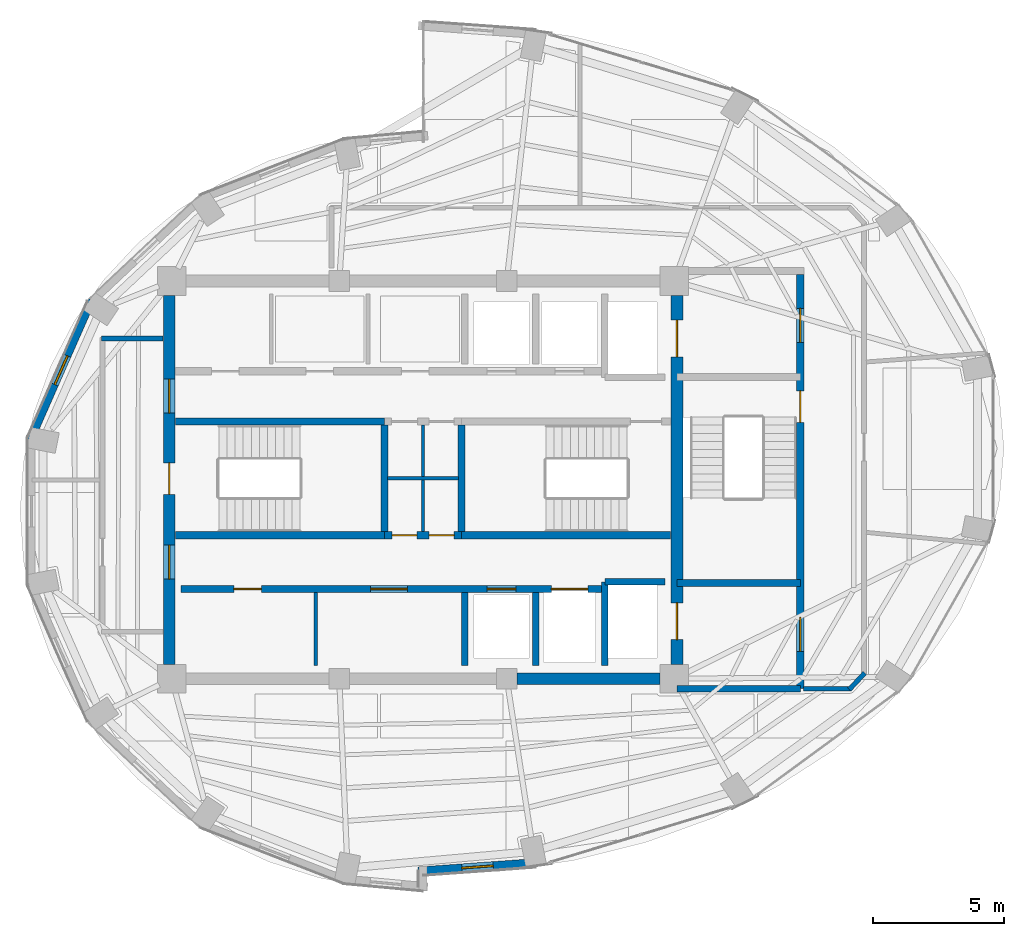
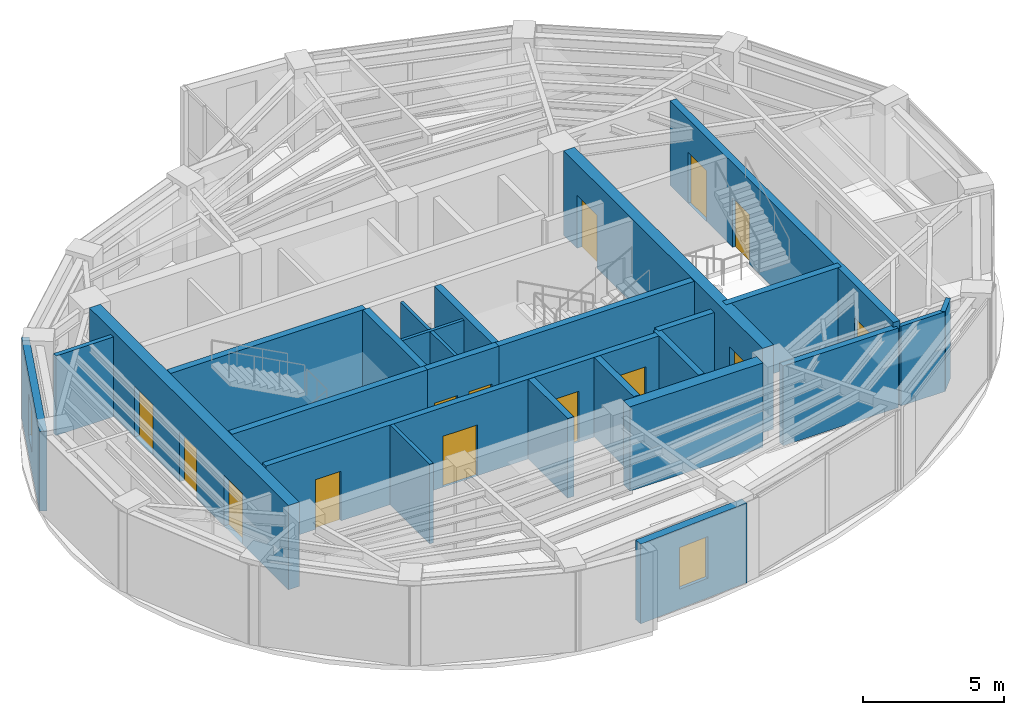
# One storey, part 11 of 15: 25 walls, 14 doors, 2 windows, 16 openings.
"""IFC4 building model written with IfcOpenShell, lengths in metres."""

from ifc_helpers import new_model, si_unit, direction, frame, frame_2d, origin, place, context, subcontext, project, spatial, rectangle, extrude, material, layer, layer_set, type_object, element, fill, save


model = new_model("IFC4")

# Units and contexts
model_context = context("Model", 3, precision=1e-05, world=origin(), true_north=direction((0.0, 1.0)))
body_context = subcontext(model_context, "Body", "Model", "MODEL_VIEW")
ifc_project = project(units=[si_unit("LENGTHUNIT", "METRE"), si_unit("AREAUNIT", "SQUARE_METRE"), si_unit("VOLUMEUNIT", "CUBIC_METRE"), si_unit("PLANEANGLEUNIT", "RADIAN"), si_unit("MASSUNIT", "GRAM", prefix="KILO")], contexts=[model_context])

# Site, building, storey
site_placement = place(None, origin())
site = spatial("IfcSite", under=ifc_project, at=site_placement, CompositionType="ELEMENT")
building_placement = place(site_placement, origin())
building = spatial("IfcBuilding", under=site, at=building_placement, Name="Lazwardi Medical Tower", CompositionType="ELEMENT")
storey_placement = place(building_placement, frame((0.0, 0.0, 280.56005859375)))
storey = spatial("IfcBuildingStorey", under=building, at=storey_placement, Name="L73", CompositionType="ELEMENT", Elevation=280.56005859375)

# Walls
ifc_material_1 = material(Name="Fire-rated gypsum board on steel stud", Category="steel")
ifc_layer_1 = layer(ifc_material_1, 0.179931640625)
ifc_layer_set_1 = layer_set([ifc_layer_1], Name="Fire-rated gypsum board on steel stud")
wall_type_1 = type_object("IfcWallType", Name="WL-COR-180", PredefinedType="PARTITIONING", material=ifc_layer_set_1)
wall_1_placement = place(storey_placement, frame((52.877197265625, 20.619140625, 0.0), z_axis=(0.0, 0.0, 1.0), x_axis=(-0.682409308253, -0.730970270264, 0.0)))
element("IfcWall", 1, at=wall_1_placement, inside=storey, type_object=wall_type_1, Name="L73 Corridor partition 5", PredefinedType="PARTITIONING", context=body_context, shape_type="SweptSolid", body=[
    extrude(rectangle(XDim=0.859619140625, YDim=0.179931640625, at=frame_2d((0.4296875, 0.0))), origin(), (0.0, 0.0, 1.0), 3.447998046875),
])
wall_2_placement = place(storey_placement, frame((52.35791015625, 20.02001953125, 0.0), z_axis=(0.0, 0.0, 1.0), x_axis=(-1.0, 0.0, 0.0)))
element("IfcWall", 2, at=wall_2_placement, inside=storey, type_object=wall_type_1, Name="L73 Corridor partition 6", PredefinedType="PARTITIONING", context=body_context, shape_type="SweptSolid", body=[
    extrude(rectangle(XDim=1.81787109375, YDim=0.179931640625, at=frame_2d((0.908935546875, 0.0))), origin(), (0.0, 0.0, 1.0), 3.447998046875),
])
wall_3_placement = place(storey_placement, frame((23.7099609375, 33.39990234375, 0.0), z_axis=(0.0, 0.0, 1.0), x_axis=(1.0, 0.0, 0.0)))
element("IfcWall", 3, at=wall_3_placement, inside=storey, type_object=wall_type_1, Name="L73 Corridor partition 9", PredefinedType="PARTITIONING", context=body_context, shape_type="SweptSolid", body=[
    extrude(rectangle(XDim=2.35009765625, YDim=0.179931640625, at=frame_2d((1.175048828125, 0.0))), origin(), (0.0, 0.0, 1.0), 3.447998046875),
])

# Wall, openings, doors
ifc_material_2 = material(Name="Concrete C60/75", Category="concrete")
ifc_layer_2 = layer(ifc_material_2, 0.449951171875)
ifc_layer_set_2 = layer_set([ifc_layer_2], Name="Concrete C60/75")
wall_type_2 = type_object("IfcWallType", Name="WL-CORE-450", PredefinedType="SHEAR", material=ifc_layer_set_2)
wall_4_placement = place(storey_placement, frame((26.300048828125, 20.949951171875, 0.0), z_axis=(0.0, 0.0, 1.0), x_axis=(0.0, 1.0, 0.0)))
wall_4 = element("IfcWall", 4, at=wall_4_placement, inside=storey, type_object=wall_type_2, Name="Core wall CW-S4 west L73", PredefinedType="SHEAR", context=body_context, shape_type="SweptSolid", body=[
    extrude(rectangle(XDim=14.10009765625, YDim=0.449951171875, at=frame_2d((7.050048828125, 0.0))), origin(), (0.0, 0.0, 1.0), 3.64794921875),
])
opening_1_placement = place(wall_4_placement, frame((6.5, 0.0, 0.0)))
opening_1 = element("IfcOpeningElement", 5, at=opening_1_placement, cuts=wall_4, Name="Opening D-L73-018", PredefinedType="OPENING", context=body_context, shape_type="SweptSolid", body=[
    extrude(rectangle(XDim=1.199951171875, YDim=2.14990234375, at=frame_2d((0.60009765625, 1.074951171875))), frame((0.0, 0.23486328125, 0.0), z_axis=(0.0, -1.0, 0.0), x_axis=(1.0, 0.0, 0.0)), (0.0, 0.0, 1.0), 0.469970703125),
])
opening_2_placement = place(wall_4_placement, frame((9.60009765625, 0.0, 0.0)))
opening_2 = element("IfcOpeningElement", 6, at=opening_2_placement, cuts=wall_4, Name="Opening D-L73-012", PredefinedType="OPENING", context=body_context, shape_type="SweptSolid", body=[
    extrude(rectangle(XDim=1.300048828125, YDim=2.199951171875, at=frame_2d((0.64990234375, 1.10009765625))), frame((0.0, 0.23486328125, 0.0), z_axis=(0.0, -1.0, 0.0), x_axis=(1.0, 0.0, 0.0)), (0.0, 0.0, 1.0), 0.469970703125),
])
opening_3_placement = place(wall_4_placement, frame((3.260009765625, 0.0, 0.0)))
opening_3 = element("IfcOpeningElement", 7, at=opening_3_placement, cuts=wall_4, Name="Opening D-L73-013", PredefinedType="OPENING", context=body_context, shape_type="SweptSolid", body=[
    extrude(rectangle(XDim=1.300048828125, YDim=2.199951171875, at=frame_2d((0.64990234375, 1.10009765625))), frame((0.0, 0.23486328125, 0.0), z_axis=(0.0, -1.0, 0.0), x_axis=(1.0, 0.0, 0.0)), (0.0, 0.0, 1.0), 0.469970703125),
])
ifc_material_3 = material(Name="Fire-rated steel leaf and frame", Category="steel")
door_type_1 = type_object("IfcDoorType", Name="DR-FFL-1300", OperationType="NOTDEFINED", PredefinedType="DOOR", material=ifc_material_3)
door_1_placement = place(opening_2_placement, origin())
door_1 = element("IfcDoor", 8, at=door_1_placement, inside=storey, type_object=door_type_1, Name="L73 North Lift Lobby Door", OperationType="SINGLE_SWING_LEFT", OverallHeight=2.199951171875, OverallWidth=1.300048828125, PredefinedType="DOOR", context=body_context, shape_type="SweptSolid", body=[
    extrude(rectangle(XDim=1.300048828125, YDim=2.199951171875, at=frame_2d((0.64990234375, 1.10009765625))), frame((0.0, 0.02490234375, 0.0), z_axis=(0.0, -1.0, 0.0), x_axis=(1.0, 0.0, 0.0)), (0.0, 0.0, 1.0), 0.050048828125),
])
fill(opening_2, door_1)
door_2_placement = place(opening_3_placement, origin())
door_2 = element("IfcDoor", 9, at=door_2_placement, inside=storey, type_object=door_type_1, Name="L73 South Lift Lobby Door", OperationType="SINGLE_SWING_RIGHT", OverallHeight=2.199951171875, OverallWidth=1.300048828125, PredefinedType="DOOR", context=body_context, shape_type="SweptSolid", body=[
    extrude(rectangle(XDim=1.300048828125, YDim=2.199951171875, at=frame_2d((0.64990234375, 1.10009765625))), frame((0.0, 0.02490234375, 0.0), z_axis=(0.0, -1.0, 0.0), x_axis=(1.0, 0.0, 0.0)), (0.0, 0.0, 1.0), 0.050048828125),
])
fill(opening_3, door_2)
door_type_2 = type_object("IfcDoorType", Name="DR-STR-1200", OperationType="NOTDEFINED", PredefinedType="DOOR", material=ifc_material_3)
door_3_placement = place(opening_1_placement, origin())
door_3 = element("IfcDoor", 10, at=door_3_placement, inside=storey, type_object=door_type_2, Name="L73 Exit Stair ST1 Door", OperationType="SINGLE_SWING_LEFT", OverallHeight=2.14990234375, OverallWidth=1.199951171875, PredefinedType="DOOR", context=body_context, shape_type="SweptSolid", body=[
    extrude(rectangle(XDim=1.199951171875, YDim=2.14990234375, at=frame_2d((0.60009765625, 1.074951171875))), frame((0.0, 0.02490234375, 0.0), z_axis=(0.0, -1.0, 0.0), x_axis=(1.0, 0.0, 0.0)), (0.0, 0.0, 1.0), 0.050048828125),
])
fill(opening_1, door_3)

wall_5_placement = place(storey_placement, frame((45.699951171875, 20.949951171875, 0.0), z_axis=(0.0, 0.0, 1.0), x_axis=(0.0, 1.0, 0.0)))
wall_5 = element("IfcWall", 11, at=wall_5_placement, inside=storey, type_object=wall_type_2, Name="Core wall CW-S4 east L73", PredefinedType="SHEAR", context=body_context, shape_type="SweptSolid", body=[
    extrude(rectangle(XDim=14.10009765625, YDim=0.449951171875, at=frame_2d((7.050048828125, 0.0))), origin(), (0.0, 0.0, 1.0), 3.64794921875),
])
opening_4_placement = place(wall_5_placement, frame((11.75, 0.0, 0.0)))
opening_4 = element("IfcOpeningElement", 12, at=opening_4_placement, cuts=wall_5, Name="Opening LD-L73-001", PredefinedType="OPENING", context=body_context, shape_type="SweptSolid", body=[
    extrude(rectangle(XDim=1.39990234375, YDim=2.300048828125, at=frame_2d((0.699951171875, 1.14990234375))), frame((0.0, 0.23486328125, 0.0), z_axis=(0.0, -1.0, 0.0), x_axis=(1.0, 0.0, 0.0)), (0.0, 0.0, 1.0), 0.469970703125),
])
opening_5_placement = place(wall_5_placement, frame((0.949951171875, 0.0, 0.0)))
opening_5 = element("IfcOpeningElement", 13, at=opening_5_placement, cuts=wall_5, Name="Opening LD-L73-002", PredefinedType="OPENING", context=body_context, shape_type="SweptSolid", body=[
    extrude(rectangle(XDim=1.39990234375, YDim=2.300048828125, at=frame_2d((0.699951171875, 1.14990234375))), frame((0.0, 0.23486328125, 0.0), z_axis=(0.0, -1.0, 0.0), x_axis=(1.0, 0.0, 0.0)), (0.0, 0.0, 1.0), 0.469970703125),
])
ifc_material_4 = material(Name="Brushed stainless steel bed-lift landing door", Category="steel")
door_type_3 = type_object("IfcDoorType", Name="DR-LFT-1400", OperationType="NOTDEFINED", PredefinedType="DOOR", material=ifc_material_4)
door_4_placement = place(opening_4_placement, origin())
door_4 = element("IfcDoor", 14, at=door_4_placement, inside=storey, type_object=door_type_3, Name="L73 Lift Landing Door FL-01", OperationType="SLIDING_TO_LEFT", OverallHeight=2.300048828125, OverallWidth=1.39990234375, PredefinedType="DOOR", context=body_context, shape_type="SweptSolid", body=[
    extrude(rectangle(XDim=1.39990234375, YDim=2.300048828125, at=frame_2d((0.699951171875, 1.14990234375))), frame((0.0, 0.02490234375, 0.0), z_axis=(0.0, -1.0, 0.0), x_axis=(1.0, 0.0, 0.0)), (0.0, 0.0, 1.0), 0.050048828125),
])
fill(opening_4, door_4)
door_5_placement = place(opening_5_placement, origin())
door_5 = element("IfcDoor", 15, at=door_5_placement, inside=storey, type_object=door_type_3, Name="L73 Lift Landing Door FL-02", OperationType="SLIDING_TO_LEFT", OverallHeight=2.300048828125, OverallWidth=1.39990234375, PredefinedType="DOOR", context=body_context, shape_type="SweptSolid", body=[
    extrude(rectangle(XDim=1.39990234375, YDim=2.300048828125, at=frame_2d((0.699951171875, 1.14990234375))), frame((0.0, 0.02490234375, 0.0), z_axis=(0.0, -1.0, 0.0), x_axis=(1.0, 0.0, 0.0)), (0.0, 0.0, 1.0), 0.050048828125),
])
fill(opening_5, door_5)

# Wall
wall_6_placement = place(storey_placement, frame((39.60009765625, 20.39990234375, 0.0), z_axis=(0.0, 0.0, 1.0), x_axis=(1.0, 0.0, 0.0)))
element("IfcWall", 16, at=wall_6_placement, inside=storey, type_object=wall_type_2, Name="Core wall CW-S4 S3 L73", PredefinedType="SHEAR", context=body_context, shape_type="SweptSolid", body=[
    extrude(rectangle(XDim=5.449951171875, YDim=0.449951171875, at=frame_2d((2.72509765625, 0.0))), origin(), (0.0, 0.0, 1.0), 3.64794921875),
])

# Wall, opening, window
ifc_material_5 = material(Name="Precast concrete C45/55", Category="concrete")
ifc_layer_3 = layer(ifc_material_5, 0.280029296875)
ifc_layer_set_3 = layer_set([ifc_layer_3], Name="Precast concrete C45/55")
wall_type_3 = type_object("IfcWallType", Name="WL-DRUM-280", PredefinedType="SOLIDWALL", material=ifc_layer_set_3)
wall_7_placement = place(storey_placement, frame((23.35205078125, 34.869384765625, 0.0), z_axis=(0.0, 0.0, 1.0), x_axis=(-0.402882523888, -0.915251698685, 0.0)))
wall_7 = element("IfcWall", 17, at=wall_7_placement, inside=storey, type_object=wall_type_3, Name="L73 West Drum Precast Wall 3", PredefinedType="SOLIDWALL", context=body_context, shape_type="SweptSolid", body=[
    extrude(rectangle(XDim=5.855712890625, YDim=0.280029296875, at=frame_2d((2.927734375, 0.0))), origin(), (0.0, 0.0, 1.0), 3.447998046875),
])
opening_6_placement = place(wall_7_placement, frame((2.327880859375, 0.0, 0.85009765625)))
opening_6 = element("IfcOpeningElement", 18, at=opening_6_placement, cuts=wall_7, Name="Opening WN-04", PredefinedType="OPENING", context=body_context, shape_type="SweptSolid", body=[
    extrude(rectangle(XDim=1.199951171875, YDim=1.800048828125, at=frame_2d((0.60009765625, 0.89990234375))), frame((0.0, 0.14990234375, 0.0), z_axis=(0.0, -1.0, 0.0), x_axis=(1.0, 0.0, 0.0)), (0.0, 0.0, 1.0), 0.300048828125),
])
ifc_material_6 = material(Name="Low-e bronze solar control double glazing", Category="glass")
window_type = type_object("IfcWindowType", Name="WIN-DRUM-1200", PartitioningType="SINGLE_PANEL", PredefinedType="WINDOW", material=ifc_material_6)
window_1_placement = place(opening_6_placement, origin())
window_1 = element("IfcWindow", 19, at=window_1_placement, inside=storey, type_object=window_type, Name="L73 West Drum Window 3", OverallHeight=1.800048828125, OverallWidth=1.199951171875, PartitioningType="SINGLE_PANEL", PredefinedType="WINDOW", context=body_context, shape_type="SweptSolid", body=[
    extrude(rectangle(XDim=1.199951171875, YDim=1.800048828125, at=frame_2d((0.60009765625, 0.89990234375))), frame((0.0, 0.030029296875, 0.0), z_axis=(0.0, -1.0, 0.0), x_axis=(1.0, 0.0, 0.0)), (0.0, 0.0, 1.0), 0.06005859375),
])
fill(opening_6, window_1)

# Walls
ifc_material_7 = material(Name="Moisture-resistant gypsum board partition")
ifc_layer_4 = layer(ifc_material_7, 0.125)
ifc_layer_set_4 = layer_set([ifc_layer_4], Name="Moisture-resistant gypsum board partition")
wall_type_4 = type_object("IfcWallType", Name="WL-ENS-125", PredefinedType="PARTITIONING", material=ifc_layer_set_4)
wall_8_placement = place(storey_placement, frame((34.64990234375, 28.06005859375, 0.0), z_axis=(0.0, 0.0, 1.0), x_axis=(1.0, 0.0, 0.0)))
element("IfcWall", 20, at=wall_8_placement, inside=storey, type_object=wall_type_4, Name="L73 Core 4-way H divider", PredefinedType="PARTITIONING", context=body_context, shape_type="SweptSolid", body=[
    extrude(rectangle(XDim=2.7001953125, YDim=0.125, at=frame_2d((1.35009765625, 0.0))), origin(), (0.0, 0.0, 1.0), 3.447998046875),
])
wall_9_placement = place(storey_placement, frame((36.0, 26.02001953125, 0.0), z_axis=(0.0, 0.0, 1.0), x_axis=(0.0, 1.0, 0.0)))
element("IfcWall", 21, at=wall_9_placement, inside=storey, type_object=wall_type_4, Name="L73 Core 4-way V divider", PredefinedType="PARTITIONING", context=body_context, shape_type="SweptSolid", body=[
    extrude(rectangle(XDim=4.080078125, YDim=0.125, at=frame_2d((2.0400390625, 0.0))), origin(), (0.0, 0.0, 1.0), 3.447998046875),
])

# Wall, opening, window
ifc_layer_5 = layer(ifc_material_5, 0.320068359375)
ifc_layer_set_5 = layer_set([ifc_layer_5], Name="Precast concrete C45/55")
wall_type_5 = type_object("IfcWallType", Name="WL-IWAN-320", PredefinedType="SOLIDWALL", material=ifc_layer_set_5)
wall_10_placement = place(storey_placement, frame((35.820556640625, 13.047119140625, 0.0), z_axis=(0.0, 0.0, 1.0), x_axis=(0.997409061056, 0.071938619141, 0.0)))
wall_10 = element("IfcWall", 22, at=wall_10_placement, inside=storey, type_object=wall_type_5, Name="L73 Iwan Portal Return Wall SE_ret", PredefinedType="SOLIDWALL", context=body_context, shape_type="SweptSolid", body=[
    extrude(rectangle(XDim=4.540771484375, YDim=0.320068359375, at=frame_2d((2.2705078125, 0.0))), origin(), (0.0, 0.0, 1.0), 3.447998046875),
])
opening_7_placement = place(wall_10_placement, frame((1.67041015625, 0.0, 0.85009765625)))
opening_7 = element("IfcOpeningElement", 23, at=opening_7_placement, cuts=wall_10, Name="Opening WN-04", PredefinedType="OPENING", context=body_context, shape_type="SweptSolid", body=[
    extrude(rectangle(XDim=1.199951171875, YDim=1.800048828125, at=frame_2d((0.60009765625, 0.89990234375))), frame((0.0, 0.169921875, 0.0), z_axis=(0.0, -1.0, 0.0), x_axis=(1.0, 0.0, 0.0)), (0.0, 0.0, 1.0), 0.340087890625),
])
window_2_placement = place(opening_7_placement, origin())
window_2 = element("IfcWindow", 24, at=window_2_placement, inside=storey, type_object=window_type, Name="L73 Iwan Slot Window SE_ret", OverallHeight=1.800048828125, OverallWidth=1.199951171875, PartitioningType="SINGLE_PANEL", PredefinedType="WINDOW", context=body_context, shape_type="SweptSolid", body=[
    extrude(rectangle(XDim=1.199951171875, YDim=1.800048828125, at=frame_2d((0.60009765625, 0.89990234375))), frame((0.0, 0.030029296875, 0.0), z_axis=(0.0, -1.0, 0.0), x_axis=(1.0, 0.0, 0.0)), (0.0, 0.0, 1.0), 0.06005859375),
])
fill(opening_7, window_2)

# Wall, openings, doors
ifc_material_8 = material(Name="Autoclaved aerated concrete blockwork", Category="masonry")
ifc_layer_6 = layer(ifc_material_8, 0.25)
ifc_layer_set_6 = layer_set([ifc_layer_6], Name="Autoclaved aerated concrete blockwork")
wall_type_6 = type_object("IfcWallType", Name="WL-SHAFT-250", PredefinedType="SOLIDWALL", material=ifc_layer_set_6)
wall_11_placement = place(storey_placement, frame((26.75, 23.830078125, 0.0), z_axis=(0.0, 0.0, 1.0), x_axis=(1.0, 0.0, 0.0)))
wall_11 = element("IfcWall", 25, at=wall_11_placement, inside=storey, type_object=wall_type_6, Name="L73 South lift bank front wall", PredefinedType="SOLIDWALL", context=body_context, shape_type="SweptSolid", body=[
    extrude(rectangle(XDim=16.199951171875, YDim=0.25, at=frame_2d((8.10009765625, 0.0))), origin(), (0.0, 0.0, 1.0), 3.447998046875),
])
opening_8_placement = place(wall_11_placement, frame((2.02490234375, 0.0, 0.0)))
opening_8 = element("IfcOpeningElement", 26, at=opening_8_placement, cuts=wall_11, Name="Opening D-L73-008", PredefinedType="OPENING", context=body_context, shape_type="SweptSolid", body=[
    extrude(rectangle(XDim=1.050048828125, YDim=2.14990234375, at=frame_2d((0.52490234375, 1.074951171875))), frame((0.0, 0.135009765625, 0.0), z_axis=(0.0, -1.0, 0.0), x_axis=(1.0, 0.0, 0.0)), (0.0, 0.0, 1.0), 0.27001953125),
])
opening_9_placement = place(wall_11_placement, frame((7.25, 0.0, 0.0)))
opening_9 = element("IfcOpeningElement", 27, at=opening_9_placement, cuts=wall_11, Name="Opening D-L73-009", PredefinedType="OPENING", context=body_context, shape_type="SweptSolid", body=[
    extrude(rectangle(XDim=1.39990234375, YDim=2.199951171875, at=frame_2d((0.699951171875, 1.10009765625))), frame((0.0, 0.135009765625, 0.0), z_axis=(0.0, -1.0, 0.0), x_axis=(1.0, 0.0, 0.0)), (0.0, 0.0, 1.0), 0.27001953125),
])
opening_10_placement = place(wall_11_placement, frame((11.699951171875, 0.0, 0.0)))
opening_10 = element("IfcOpeningElement", 28, at=opening_10_placement, cuts=wall_11, Name="Opening LD-L73-006", PredefinedType="OPENING", context=body_context, shape_type="SweptSolid", body=[
    extrude(rectangle(XDim=1.10009765625, YDim=2.199951171875, at=frame_2d((0.550048828125, 1.10009765625))), frame((0.0, 0.135009765625, 0.0), z_axis=(0.0, -1.0, 0.0), x_axis=(1.0, 0.0, 0.0)), (0.0, 0.0, 1.0), 0.27001953125),
])
opening_11_placement = place(wall_11_placement, frame((14.14990234375, 0.0, 0.0)))
opening_11 = element("IfcOpeningElement", 29, at=opening_11_placement, cuts=wall_11, Name="Opening LD-L73-003", PredefinedType="OPENING", context=body_context, shape_type="SweptSolid", body=[
    extrude(rectangle(XDim=1.39990234375, YDim=2.300048828125, at=frame_2d((0.699951171875, 1.14990234375))), frame((0.0, 0.135009765625, 0.0), z_axis=(0.0, -1.0, 0.0), x_axis=(1.0, 0.0, 0.0)), (0.0, 0.0, 1.0), 0.27001953125),
])
ifc_material_9 = material(Name="Anti-microbial laminate hospital leaf")
door_type_4 = type_object("IfcDoorType", Name="DR-BED-1400", OperationType="NOTDEFINED", PredefinedType="DOOR", material=ifc_material_9)
door_6_placement = place(opening_9_placement, origin())
door_6 = element("IfcDoor", 30, at=door_6_placement, inside=storey, type_object=door_type_4, Name="L73 Dialysis Door", OperationType="SINGLE_SWING_LEFT", OverallHeight=2.199951171875, OverallWidth=1.39990234375, PredefinedType="DOOR", context=body_context, shape_type="SweptSolid", body=[
    extrude(rectangle(XDim=1.39990234375, YDim=2.199951171875, at=frame_2d((0.699951171875, 1.10009765625))), frame((0.0, 0.02490234375, 0.0), z_axis=(0.0, -1.0, 0.0), x_axis=(1.0, 0.0, 0.0)), (0.0, 0.0, 1.0), 0.050048828125),
])
fill(opening_9, door_6)
door_type_5 = type_object("IfcDoorType", Name="DR-CLN-1050", OperationType="NOTDEFINED", PredefinedType="DOOR", material=ifc_material_9)
door_7_placement = place(opening_8_placement, origin())
door_7 = element("IfcDoor", 31, at=door_7_placement, inside=storey, type_object=door_type_5, Name="L73 Clinical Laboratory Door", OperationType="SINGLE_SWING_RIGHT", OverallHeight=2.14990234375, OverallWidth=1.050048828125, PredefinedType="DOOR", context=body_context, shape_type="SweptSolid", body=[
    extrude(rectangle(XDim=1.050048828125, YDim=2.14990234375, at=frame_2d((0.52490234375, 1.074951171875))), frame((0.0, 0.02490234375, 0.0), z_axis=(0.0, -1.0, 0.0), x_axis=(1.0, 0.0, 0.0)), (0.0, 0.0, 1.0), 0.050048828125),
])
fill(opening_8, door_7)
ifc_material_10 = material(Name="Brushed bronze stainless steel landing door", Category="steel")
door_type_6 = type_object("IfcDoorType", Name="DR-LFT-1100", OperationType="NOTDEFINED", PredefinedType="DOOR", material=ifc_material_10)
door_8_placement = place(opening_10_placement, origin())
door_8 = element("IfcDoor", 32, at=door_8_placement, inside=storey, type_object=door_type_6, Name="L73 Lift Landing Door PL-11", OperationType="SLIDING_TO_LEFT", OverallHeight=2.199951171875, OverallWidth=1.10009765625, PredefinedType="DOOR", context=body_context, shape_type="SweptSolid", body=[
    extrude(rectangle(XDim=1.10009765625, YDim=2.199951171875, at=frame_2d((0.550048828125, 1.10009765625))), frame((0.0, 0.02490234375, 0.0), z_axis=(0.0, -1.0, 0.0), x_axis=(1.0, 0.0, 0.0)), (0.0, 0.0, 1.0), 0.050048828125),
])
fill(opening_10, door_8)
door_9_placement = place(opening_11_placement, origin())
door_9 = element("IfcDoor", 33, at=door_9_placement, inside=storey, type_object=door_type_3, Name="L73 Lift Landing Door FL-03", OperationType="SLIDING_TO_LEFT", OverallHeight=2.300048828125, OverallWidth=1.39990234375, PredefinedType="DOOR", context=body_context, shape_type="SweptSolid", body=[
    extrude(rectangle(XDim=1.39990234375, YDim=2.300048828125, at=frame_2d((0.699951171875, 1.14990234375))), frame((0.0, 0.02490234375, 0.0), z_axis=(0.0, -1.0, 0.0), x_axis=(1.0, 0.0, 0.0)), (0.0, 0.0, 1.0), 0.050048828125),
])
fill(opening_11, door_9)

# Walls
wall_12_placement = place(storey_placement, frame((42.949951171875, 20.89990234375, 0.0), z_axis=(0.0, 0.0, 1.0), x_axis=(0.0, 1.0, 0.0)))
element("IfcWall", 34, at=wall_12_placement, inside=storey, type_object=wall_type_6, Name="L73 FL-02 West shaft wall", PredefinedType="SOLIDWALL", context=body_context, shape_type="SweptSolid", body=[
    extrude(rectangle(XDim=3.2001953125, YDim=0.25, at=frame_2d((1.60009765625, 0.0))), origin(), (0.0, 0.0, 1.0), 3.447998046875),
])
wall_13_placement = place(storey_placement, frame((42.949951171875, 24.10009765625, 0.0), z_axis=(0.0, 0.0, 1.0), x_axis=(1.0, 0.0, 0.0)))
element("IfcWall", 35, at=wall_13_placement, inside=storey, type_object=wall_type_6, Name="L73 FL-02 North shaft wall", PredefinedType="SOLIDWALL", context=body_context, shape_type="SweptSolid", body=[
    extrude(rectangle(XDim=2.300048828125, YDim=0.25, at=frame_2d((1.14990234375, 0.0))), origin(), (0.0, 0.0, 1.0), 3.447998046875),
])
for number, where, z_axis, x_axis, name in (
    (36, (37.60009765625, 20.89990234375, 0.0), (0.0, 0.0, 1.0), (0.0, 1.0, 0.0), "L73 South hoistway divider"),
    (37, (40.300048828125, 20.89990234375, 0.0), (0.0, 0.0, 1.0), (0.0, 1.0, 0.0), "L73 South hoistway divider"),
):
    element("IfcWall", number, at=place(storey_placement, frame(where, z_axis=z_axis, x_axis=x_axis)), inside=storey, type_object=wall_type_6, Name=name, PredefinedType="SOLIDWALL", context=body_context, shape_type="SweptSolid", body=[
        extrude(rectangle(XDim=2.800048828125, YDim=0.25, at=frame_2d((1.39990234375, 0.0))), origin(), (0.0, 0.0, 1.0), 3.447998046875),
    ])
wall_14_placement = place(storey_placement, frame((45.699951171875, 20.02001953125, 0.0), z_axis=(0.0, 0.0, 1.0), x_axis=(1.0, 0.0, 0.0)))
element("IfcWall", 38, at=wall_14_placement, inside=storey, type_object=wall_type_6, Name="L73 FFL-S South wall", PredefinedType="SOLIDWALL", context=body_context, shape_type="SweptSolid", body=[
    extrude(rectangle(XDim=4.715087890625, YDim=0.25, at=frame_2d((2.357421875, 0.0))), origin(), (0.0, 0.0, 1.0), 3.447998046875),
])
ifc_material_11 = material(Name="Concrete C50/60", Category="concrete")
ifc_layer_7 = layer(ifc_material_11, 0.27001953125)
ifc_layer_set_7 = layer_set([ifc_layer_7], Name="Concrete C50/60")
wall_type_7 = type_object("IfcWallType", Name="WL-STR-250", PredefinedType="SHEAR", material=ifc_layer_set_7)
for number, where, z_axis, x_axis, name in (
    (39, (26.550048828125, 30.235107421875, 0.0), (0.0, 0.0, 1.0), (1.0, 0.0, 0.0), "L73 ST1 North shear shaft wall SW-S1"),
    (40, (26.550048828125, 25.885009765625, 0.0), (0.0, 0.0, 1.0), (1.0, 0.0, 0.0), "L73 ST1 South shear shaft wall SW-S1"),
):
    element("IfcWall", number, at=place(storey_placement, frame(where, z_axis=z_axis, x_axis=x_axis)), inside=storey, type_object=wall_type_7, Name=name, PredefinedType="SHEAR", context=body_context, shape_type="SweptSolid", body=[
        extrude(rectangle(XDim=7.98486328125, YDim=0.27001953125, at=frame_2d((3.992431640625, 0.0))), origin(), (0.0, 0.0, 1.0), 3.64794921875),
    ])

# Wall, openings, doors
wall_15_placement = place(storey_placement, frame((34.534912109375, 25.885009765625, 0.0), z_axis=(0.0, 0.0, 1.0), x_axis=(1.0, 0.0, 0.0)))
wall_15 = element("IfcWall", 41, at=wall_15_placement, inside=storey, type_object=wall_type_7, Name="L73 Core service South shear wall SW-S1", PredefinedType="SHEAR", context=body_context, shape_type="SweptSolid", body=[
    extrude(rectangle(XDim=2.93017578125, YDim=0.27001953125, at=frame_2d((1.465087890625, 0.0))), origin(), (0.0, 0.0, 1.0), 3.64794921875),
])
opening_12_placement = place(wall_15_placement, frame((0.280029296875, 0.0, 0.0)))
opening_12 = element("IfcOpeningElement", 42, at=opening_12_placement, cuts=wall_15, Name="Opening D-L73-001", PredefinedType="OPENING", context=body_context, shape_type="SweptSolid", body=[
    extrude(rectangle(XDim=0.949951171875, YDim=2.10009765625, at=frame_2d((0.47509765625, 1.050048828125))), frame((0.0, 0.14501953125, 0.0), z_axis=(0.0, -1.0, 0.0), x_axis=(1.0, 0.0, 0.0)), (0.0, 0.0, 1.0), 0.2900390625),
])
opening_13_placement = place(wall_15_placement, frame((1.699951171875, 0.0, 0.0)))
opening_13 = element("IfcOpeningElement", 43, at=opening_13_placement, cuts=wall_15, Name="Opening D-L73-002", PredefinedType="OPENING", context=body_context, shape_type="SweptSolid", body=[
    extrude(rectangle(XDim=0.949951171875, YDim=2.10009765625, at=frame_2d((0.47509765625, 1.050048828125))), frame((0.0, 0.14501953125, 0.0), z_axis=(0.0, -1.0, 0.0), x_axis=(1.0, 0.0, 0.0)), (0.0, 0.0, 1.0), 0.2900390625),
])
ifc_material_12 = material(Name="Moisture-resistant laminate door leaf")
door_type_7 = type_object("IfcDoorType", Name="DR-ENS-950", OperationType="NOTDEFINED", PredefinedType="DOOR", material=ifc_material_12)
door_10_placement = place(opening_12_placement, origin())
door_10 = element("IfcDoor", 44, at=door_10_placement, inside=storey, type_object=door_type_7, Name="L73 Staff WC Door", OperationType="SINGLE_SWING_LEFT", OverallHeight=2.10009765625, OverallWidth=0.949951171875, PredefinedType="DOOR", context=body_context, shape_type="SweptSolid", body=[
    extrude(rectangle(XDim=0.949951171875, YDim=2.10009765625, at=frame_2d((0.47509765625, 1.050048828125))), frame((0.0, 0.02490234375, 0.0), z_axis=(0.0, -1.0, 0.0), x_axis=(1.0, 0.0, 0.0)), (0.0, 0.0, 1.0), 0.050048828125),
])
fill(opening_12, door_10)
door_11_placement = place(opening_13_placement, origin())
door_11 = element("IfcDoor", 45, at=door_11_placement, inside=storey, type_object=door_type_7, Name="L73 Comms Room Door", OperationType="SINGLE_SWING_RIGHT", OverallHeight=2.10009765625, OverallWidth=0.949951171875, PredefinedType="DOOR", context=body_context, shape_type="SweptSolid", body=[
    extrude(rectangle(XDim=0.949951171875, YDim=2.10009765625, at=frame_2d((0.47509765625, 1.050048828125))), frame((0.0, 0.02490234375, 0.0), z_axis=(0.0, -1.0, 0.0), x_axis=(1.0, 0.0, 0.0)), (0.0, 0.0, 1.0), 0.050048828125),
])
fill(opening_13, door_11)

# Walls
wall_16_placement = place(storey_placement, frame((37.465087890625, 25.885009765625, 0.0), z_axis=(0.0, 0.0, 1.0), x_axis=(1.0, 0.0, 0.0)))
element("IfcWall", 46, at=wall_16_placement, inside=storey, type_object=wall_type_7, Name="L73 ST2 South shear shaft wall SW-S1", PredefinedType="SHEAR", context=body_context, shape_type="SweptSolid", body=[
    extrude(rectangle(XDim=7.98486328125, YDim=0.27001953125, at=frame_2d((3.992431640625, 0.0))), origin(), (0.0, 0.0, 1.0), 3.64794921875),
])
for number, where, z_axis, x_axis, name in (
    (47, (34.534912109375, 26.02001953125, 0.0), (0.0, 0.0, 1.0), (0.0, 1.0, 0.0), "L73 ST1 East shear shaft wall SW-S1"),
    (48, (37.465087890625, 26.02001953125, 0.0), (0.0, 0.0, 1.0), (0.0, 1.0, 0.0), "L73 ST2 West shear shaft wall SW-S1"),
):
    element("IfcWall", number, at=place(storey_placement, frame(where, z_axis=z_axis, x_axis=x_axis)), inside=storey, type_object=wall_type_7, Name=name, PredefinedType="SHEAR", context=body_context, shape_type="SweptSolid", body=[
        extrude(rectangle(XDim=4.080078125, YDim=0.27001953125, at=frame_2d((2.0400390625, 0.0))), origin(), (0.0, 0.0, 1.0), 3.64794921875),
    ])

# Wall, openings, doors
wall_17_placement = place(storey_placement, frame((50.4150390625, 35.844970703125, 0.0), z_axis=(0.0, 0.0, 1.0), x_axis=(0.0, -1.0, 0.0)))
wall_17 = element("IfcWall", 49, at=wall_17_placement, inside=storey, type_object=wall_type_7, Name="L73 East ST3 & FFL shear wall SW-S1", PredefinedType="SHEAR", context=body_context, shape_type="SweptSolid", body=[
    extrude(rectangle(XDim=15.824951171875, YDim=0.27001953125, at=frame_2d((7.91259765625, 0.0))), origin(), (0.0, 0.0, 1.0), 3.64794921875),
])
opening_14_placement = place(wall_17_placement, frame((4.445068359375, 0.0, 0.0)))
opening_14 = element("IfcOpeningElement", 50, at=opening_14_placement, cuts=wall_17, Name="Opening D-L73-020", PredefinedType="OPENING", context=body_context, shape_type="SweptSolid", body=[
    extrude(rectangle(XDim=1.199951171875, YDim=2.14990234375, at=frame_2d((0.60009765625, 1.074951171875))), frame((0.0, 0.14501953125, 0.0), z_axis=(0.0, -1.0, 0.0), x_axis=(1.0, 0.0, 0.0)), (0.0, 0.0, 1.0), 0.2900390625),
])
opening_15_placement = place(wall_17_placement, frame((1.294921875, 0.0, 0.0)))
opening_15 = element("IfcOpeningElement", 51, at=opening_15_placement, cuts=wall_17, Name="Opening D-L73-010", PredefinedType="OPENING", context=body_context, shape_type="SweptSolid", body=[
    extrude(rectangle(XDim=1.300048828125, YDim=2.199951171875, at=frame_2d((0.64990234375, 1.10009765625))), frame((0.0, 0.14501953125, 0.0), z_axis=(0.0, -1.0, 0.0), x_axis=(1.0, 0.0, 0.0)), (0.0, 0.0, 1.0), 0.2900390625),
])
opening_16_placement = place(wall_17_placement, frame((13.094970703125, 0.0, 0.0)))
opening_16 = element("IfcOpeningElement", 52, at=opening_16_placement, cuts=wall_17, Name="Opening D-L73-011", PredefinedType="OPENING", context=body_context, shape_type="SweptSolid", body=[
    extrude(rectangle(XDim=1.300048828125, YDim=2.199951171875, at=frame_2d((0.64990234375, 1.10009765625))), frame((0.0, 0.14501953125, 0.0), z_axis=(0.0, -1.0, 0.0), x_axis=(1.0, 0.0, 0.0)), (0.0, 0.0, 1.0), 0.2900390625),
])
door_12_placement = place(opening_15_placement, origin())
door_12 = element("IfcDoor", 53, at=door_12_placement, inside=storey, type_object=door_type_1, Name="L73 Fire-Fighting Lobby North Door", OperationType="SINGLE_SWING_LEFT", OverallHeight=2.199951171875, OverallWidth=1.300048828125, PredefinedType="DOOR", context=body_context, shape_type="SweptSolid", body=[
    extrude(rectangle(XDim=1.300048828125, YDim=2.199951171875, at=frame_2d((0.64990234375, 1.10009765625))), frame((0.0, 0.02490234375, 0.0), z_axis=(0.0, -1.0, 0.0), x_axis=(1.0, 0.0, 0.0)), (0.0, 0.0, 1.0), 0.050048828125),
])
fill(opening_15, door_12)
door_13_placement = place(opening_16_placement, origin())
door_13 = element("IfcDoor", 54, at=door_13_placement, inside=storey, type_object=door_type_1, Name="L73 Fire-Fighting Lobby South Door", OperationType="SINGLE_SWING_RIGHT", OverallHeight=2.199951171875, OverallWidth=1.300048828125, PredefinedType="DOOR", context=body_context, shape_type="SweptSolid", body=[
    extrude(rectangle(XDim=1.300048828125, YDim=2.199951171875, at=frame_2d((0.64990234375, 1.10009765625))), frame((0.0, 0.02490234375, 0.0), z_axis=(0.0, -1.0, 0.0), x_axis=(1.0, 0.0, 0.0)), (0.0, 0.0, 1.0), 0.050048828125),
])
fill(opening_16, door_13)
door_14_placement = place(opening_14_placement, origin())
door_14 = element("IfcDoor", 55, at=door_14_placement, inside=storey, type_object=door_type_2, Name="L73 Exit Stair ST3 Door", OperationType="SINGLE_SWING_RIGHT", OverallHeight=2.14990234375, OverallWidth=1.199951171875, PredefinedType="DOOR", context=body_context, shape_type="SweptSolid", body=[
    extrude(rectangle(XDim=1.199951171875, YDim=2.14990234375, at=frame_2d((0.60009765625, 1.074951171875))), frame((0.0, 0.02490234375, 0.0), z_axis=(0.0, -1.0, 0.0), x_axis=(1.0, 0.0, 0.0)), (0.0, 0.0, 1.0), 0.050048828125),
])
fill(opening_14, door_14)

# Walls
wall_18_placement = place(storey_placement, frame((45.699951171875, 24.06494140625, 0.0), z_axis=(0.0, 0.0, 1.0), x_axis=(1.0, 0.0, 0.0)))
element("IfcWall", 56, at=wall_18_placement, inside=storey, type_object=wall_type_7, Name="L73 ST3 South shear shaft wall SW-S1", PredefinedType="SHEAR", context=body_context, shape_type="SweptSolid", body=[
    extrude(rectangle(XDim=4.715087890625, YDim=0.27001953125, at=frame_2d((2.357421875, 0.0))), origin(), (0.0, 0.0, 1.0), 3.64794921875),
])
ifc_material_13 = material(Name="Acoustic gypsum board partition")
ifc_layer_8 = layer(ifc_material_13, 0.14990234375)
ifc_layer_set_8 = layer_set([ifc_layer_8], Name="Acoustic gypsum board partition")
wall_type_8 = type_object("IfcWallType", Name="WL-WRD-150", PredefinedType="PARTITIONING", material=ifc_layer_set_8)
wall_19_placement = place(storey_placement, frame((31.89990234375, 20.89990234375, 0.0), z_axis=(0.0, 0.0, 1.0), x_axis=(0.0, 1.0, 0.0)))
element("IfcWall", 57, at=wall_19_placement, inside=storey, type_object=wall_type_8, Name="L73 Freed bay2 S split", PredefinedType="PARTITIONING", context=body_context, shape_type="SweptSolid", body=[
    extrude(rectangle(XDim=2.800048828125, YDim=0.14990234375, at=frame_2d((1.39990234375, 0.0))), origin(), (0.0, 0.0, 1.0), 3.447998046875),
])

save(model, "model.ifc")
